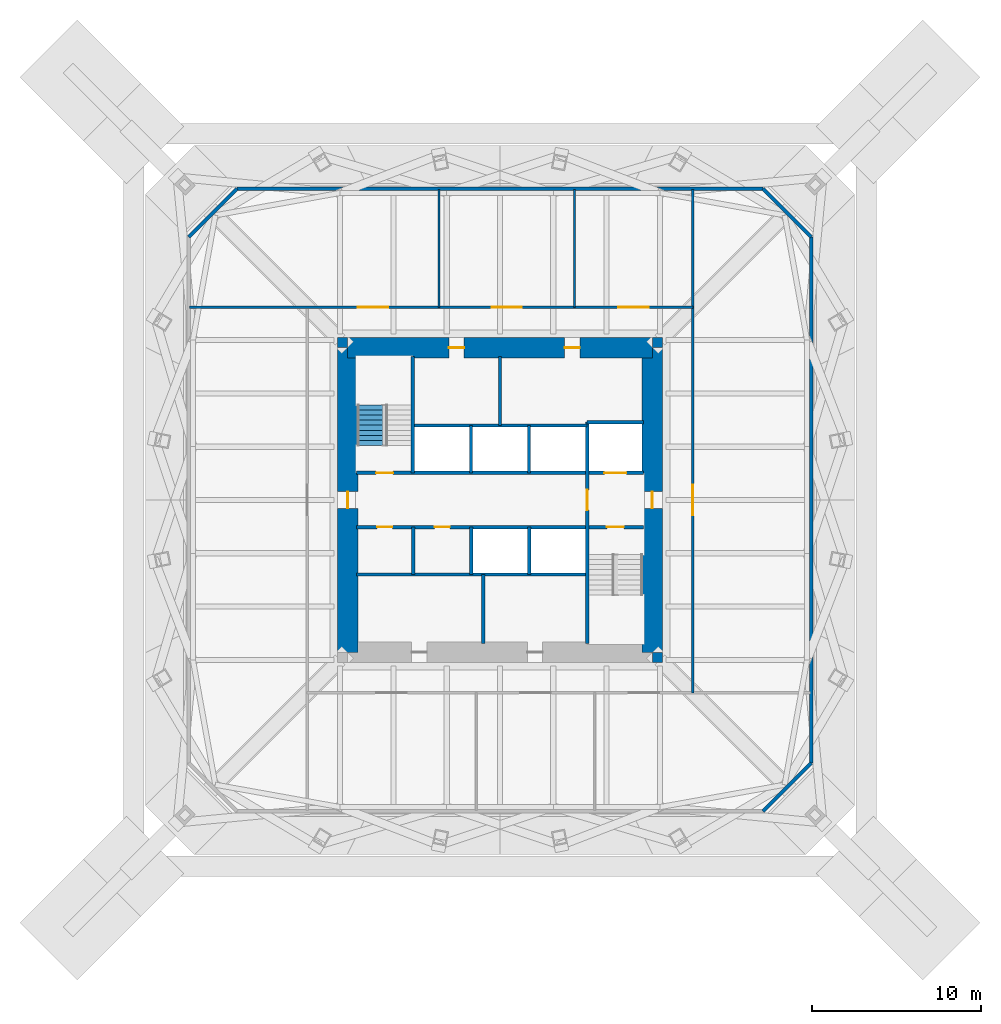
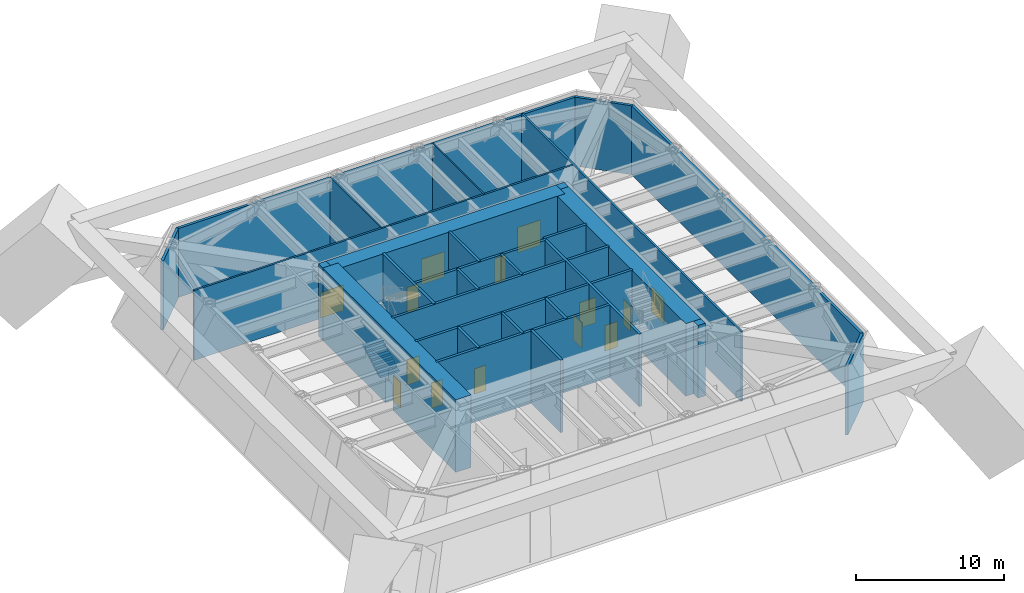
# One storey, part 4 of 6: 29 walls, 14 doors, 1 stair flight, 14 openings, 1 element without a shape of its own.
"""IFC4 building model written with IfcOpenShell, lengths in metres."""

from ifc_helpers import new_model, si_unit, direction, frame, frame_2d, origin, place, context, subcontext, project, spatial, polyline, rectangle, outline, extrude, material, layer, layer_set, constituent, constituent_set, type_object, element, fill, aggregate, save


model = new_model("IFC4")

# Units and contexts
model_context = context("Model", 3, precision=1e-05, world=origin(), true_north=direction((0.0, 1.0)))
body_context = subcontext(model_context, "Body", "Model", "MODEL_VIEW")
ifc_project = project(units=[si_unit("LENGTHUNIT", "METRE"), si_unit("AREAUNIT", "SQUARE_METRE"), si_unit("VOLUMEUNIT", "CUBIC_METRE"), si_unit("PLANEANGLEUNIT", "RADIAN"), si_unit("MASSUNIT", "GRAM", prefix="KILO")], contexts=[model_context])

# Site, building, storey
site_placement = place(None, origin())
site = spatial("IfcSite", under=ifc_project, at=site_placement, CompositionType="ELEMENT")
building_placement = place(site_placement, origin())
building = spatial("IfcBuilding", under=site, at=building_placement, Name="Iwan Alto Co-Living Towers", CompositionType="ELEMENT")
storey_placement = place(building_placement, frame((0.0, 0.0, 143.5)))
storey = spatial("IfcBuildingStorey", under=building, at=storey_placement, Name="L39", CompositionType="ELEMENT", Elevation=143.5)

# Wall, openings, doors
ifc_material_1 = material(Name="Gypsum board")
ifc_layer_1 = layer(ifc_material_1, 0.02490234375, Name="Board", Category="Finish")
ifc_material_2 = material(Name="Steel ASTM A1003 ST33H cold-formed studs", Category="steel")
ifc_layer_2 = layer(ifc_material_2, 0.10009765625, Name="Studs", Category="Framing")
ifc_layer_3 = layer(ifc_material_1, 0.02490234375, Name="Board", Category="Finish")
ifc_layer_set_1 = layer_set([ifc_layer_1, ifc_layer_2, ifc_layer_3], Name="CORRIDOR WALL 150")
wall_type_1 = type_object("IfcWallType", Name="CORRIDOR WALL 150", PredefinedType="PARTITIONING", material=ifc_layer_set_1)
wall_1_placement = place(storey_placement, frame((-18.340087890625, 11.39990234375, 0.0), z_axis=(0.0, 0.0, 1.0), x_axis=(1.0, 0.0, 0.0)))
wall_1 = element("IfcWall", 1, at=wall_1_placement, inside=storey, type_object=wall_type_1, Name="Partition L39", PredefinedType="PARTITIONING", context=body_context, shape_type="SweptSolid", body=[
    extrude(rectangle(XDim=29.739990234375, YDim=0.14990234375, at=frame_2d((14.8701171875, 0.0))), origin(), (0.0, 0.0, 1.0), 5.77001953125),
])
opening_1_placement = place(wall_1_placement, frame((25.340087890625, 0.0, 0.0)))
opening_1 = element("IfcOpeningElement", 2, at=opening_1_placement, cuts=wall_1, Name="Opening D9", PredefinedType="OPENING", context=body_context, shape_type="SweptSolid", body=[
    extrude(rectangle(XDim=1.800048828125, YDim=2.10009765625, at=frame_2d((0.89990234375, 1.050048828125))), frame((0.0, 0.0849609375, 0.0), z_axis=(0.0, -1.0, 0.0), x_axis=(1.0, 0.0, 0.0)), (0.0, 0.0, 1.0), 0.169921875),
])
opening_2_placement = place(wall_1_placement, frame((17.840087890625, 0.0, 0.0)))
opening_2 = element("IfcOpeningElement", 3, at=opening_2_placement, cuts=wall_1, Name="Opening D9", PredefinedType="OPENING", context=body_context, shape_type="SweptSolid", body=[
    extrude(rectangle(XDim=1.800048828125, YDim=2.10009765625, at=frame_2d((0.89990234375, 1.050048828125))), frame((0.0, 0.0849609375, 0.0), z_axis=(0.0, -1.0, 0.0), x_axis=(1.0, 0.0, 0.0)), (0.0, 0.0, 1.0), 0.169921875),
])
opening_3_placement = place(wall_1_placement, frame((9.93994140625, 0.0, 0.0)))
opening_3 = element("IfcOpeningElement", 4, at=opening_3_placement, cuts=wall_1, Name="Opening D9", PredefinedType="OPENING", context=body_context, shape_type="SweptSolid", body=[
    extrude(rectangle(XDim=1.800048828125, YDim=2.10009765625, at=frame_2d((0.89990234375, 1.050048828125))), frame((0.0, 0.0849609375, 0.0), z_axis=(0.0, -1.0, 0.0), x_axis=(1.0, 0.0, 0.0)), (0.0, 0.0, 1.0), 0.169921875),
])
ifc_material_3 = material(Name="Steel frame with timber leaf", Category="steel")
door_type_1 = type_object("IfcDoorType", Name="LOUNGE DOOR FD30S 1800X2100", OperationType="DOUBLE_DOOR_SINGLE_SWING", PredefinedType="DOOR", material=ifc_material_3)
door_1_placement = place(opening_1_placement, origin())
door_1 = element("IfcDoor", 5, at=door_1_placement, inside=storey, type_object=door_type_1, Name="Transformer room door L39", OperationType="DOUBLE_DOOR_SINGLE_SWING", OverallHeight=2.10009765625, OverallWidth=1.800048828125, PredefinedType="DOOR", context=body_context, shape_type="SweptSolid", body=[
    extrude(rectangle(XDim=1.800048828125, YDim=2.10009765625, at=frame_2d((0.89990234375, 1.050048828125))), frame((0.0, 0.02490234375, 0.0), z_axis=(0.0, -1.0, 0.0), x_axis=(1.0, 0.0, 0.0)), (0.0, 0.0, 1.0), 0.050048828125),
])
fill(opening_1, door_1)
door_2_placement = place(opening_2_placement, origin())
door_2 = element("IfcDoor", 6, at=door_2_placement, inside=storey, type_object=door_type_1, Name="LV switch room door L39", OperationType="DOUBLE_DOOR_SINGLE_SWING", OverallHeight=2.10009765625, OverallWidth=1.800048828125, PredefinedType="DOOR", context=body_context, shape_type="SweptSolid", body=[
    extrude(rectangle(XDim=1.800048828125, YDim=2.10009765625, at=frame_2d((0.89990234375, 1.050048828125))), frame((0.0, 0.02490234375, 0.0), z_axis=(0.0, -1.0, 0.0), x_axis=(1.0, 0.0, 0.0)), (0.0, 0.0, 1.0), 0.050048828125),
])
fill(opening_2, door_2)
door_3_placement = place(opening_3_placement, origin())
door_3 = element("IfcDoor", 7, at=door_3_placement, inside=storey, type_object=door_type_1, Name="Plant room (air handling) door L39", OperationType="DOUBLE_DOOR_SINGLE_SWING", OverallHeight=2.10009765625, OverallWidth=1.800048828125, PredefinedType="DOOR", context=body_context, shape_type="SweptSolid", body=[
    extrude(rectangle(XDim=1.800048828125, YDim=2.10009765625, at=frame_2d((0.89990234375, 1.050048828125))), frame((0.0, 0.02490234375, 0.0), z_axis=(0.0, -1.0, 0.0), x_axis=(1.0, 0.0, 0.0)), (0.0, 0.0, 1.0), 0.050048828125),
])
fill(opening_3, door_3)

# Wall, opening, door
wall_2_placement = place(storey_placement, frame((11.39990234375, -11.39990234375, 0.0), z_axis=(0.0, 0.0, 1.0), x_axis=(0.0, 1.0, 0.0)))
wall_2 = element("IfcWall", 8, at=wall_2_placement, inside=storey, type_object=wall_type_1, Name="Partition L39", PredefinedType="PARTITIONING", context=body_context, shape_type="SweptSolid", body=[
    extrude(rectangle(XDim=29.739990234375, YDim=0.14990234375, at=frame_2d((14.8701171875, 0.0))), origin(), (0.0, 0.0, 1.0), 5.77001953125),
])
opening_4_placement = place(wall_2_placement, frame((10.5, 0.0, 0.0)))
opening_4 = element("IfcOpeningElement", 9, at=opening_4_placement, cuts=wall_2, Name="Opening D9", PredefinedType="OPENING", context=body_context, shape_type="SweptSolid", body=[
    extrude(rectangle(XDim=1.800048828125, YDim=2.10009765625, at=frame_2d((0.89990234375, 1.050048828125))), frame((0.0, 0.0849609375, 0.0), z_axis=(0.0, -1.0, 0.0), x_axis=(1.0, 0.0, 0.0)), (0.0, 0.0, 1.0), 0.169921875),
])
door_4_placement = place(opening_4_placement, origin())
door_4 = element("IfcDoor", 10, at=door_4_placement, inside=storey, type_object=door_type_1, Name="Refuge area door L39", OperationType="DOUBLE_DOOR_SINGLE_SWING", OverallHeight=2.10009765625, OverallWidth=1.800048828125, PredefinedType="DOOR", context=body_context, shape_type="SweptSolid", body=[
    extrude(rectangle(XDim=1.800048828125, YDim=2.10009765625, at=frame_2d((0.89990234375, 1.050048828125))), frame((0.0, 0.02490234375, 0.0), z_axis=(0.0, -1.0, 0.0), x_axis=(1.0, 0.0, 0.0)), (0.0, 0.0, 1.0), 0.050048828125),
])
fill(opening_4, door_4)

# Walls
ifc_layer_4 = layer(ifc_material_1, 0.012451171875, Name="Board", Category="Finish")
ifc_layer_5 = layer(ifc_material_2, 0.074951171875, Name="Studs", Category="Framing")
ifc_layer_6 = layer(ifc_material_1, 0.012451171875, Name="Board", Category="Finish")
ifc_layer_set_2 = layer_set([ifc_layer_4, ifc_layer_5, ifc_layer_6], Name="PARTITION 100")
wall_type_2 = type_object("IfcWallType", Name="PARTITION 100", PredefinedType="PARTITIONING", material=ifc_layer_set_2)
for number, where, z_axis, x_axis, name in (
    (11, (4.39990234375, 11.39990234375, 0.0), (0.0, 0.0, 1.0), (0.0, 1.0, 0.0), "Partition L39"),
    (12, (-3.60009765625, 11.39990234375, 0.0), (0.0, 0.0, 1.0), (0.0, 1.0, 0.0), "Partition L39"),
):
    element("IfcWall", number, at=place(storey_placement, frame(where, z_axis=z_axis, x_axis=x_axis)), inside=storey, type_object=wall_type_2, Name=name, PredefinedType="PARTITIONING", context=body_context, shape_type="SweptSolid", body=[
        extrude(rectangle(XDim=6.940185546875, YDim=0.10009765625, at=frame_2d((3.47021484375, 0.0))), origin(), (0.0, 0.0, 1.0), 5.77001953125),
    ])
ifc_material_4 = material(Name="Aluminium 6063-T6 bronze anodised", Category="aluminium")
ifc_layer_7 = layer(ifc_material_4, 0.050048828125, Name="Louvred screen", Category="Finish")
ifc_layer_8 = layer(ifc_material_2, 0.14990234375, Name="Studs", Category="Framing")
ifc_layer_set_3 = layer_set([ifc_layer_7, ifc_layer_8], Name="PLANT PLENUM WALL 200")
wall_type_3 = type_object("IfcWallType", Name="PLANT PLENUM WALL 200", PredefinedType="PARTITIONING", material=ifc_layer_set_3)
wall_3_placement = place(storey_placement, frame((15.544921875, -18.39990234375, 0.0), z_axis=(0.0, 0.0, 1.0), x_axis=(0.707106781187, 0.707106781187, 0.0)))
element("IfcWall", 13, at=wall_3_placement, inside=storey, type_object=wall_type_3, Name="T1 plant plenum wall L39 2", PredefinedType="PARTITIONING", context=body_context, shape_type="SweptSolid", body=[
    extrude(rectangle(XDim=4.03759765625, YDim=0.199951171875, at=frame_2d((2.018798828125, 0.0))), origin(), (0.0, 0.0, 1.0), 5.699951171875),
])
wall_4_placement = place(storey_placement, frame((18.39990234375, -15.544921875, 0.0), z_axis=(0.0, 0.0, 1.0), x_axis=(0.0, 1.0, 0.0)))
element("IfcWall", 14, at=wall_4_placement, inside=storey, type_object=wall_type_3, Name="T1 plant plenum wall L39 3", PredefinedType="PARTITIONING", context=body_context, shape_type="SweptSolid", body=[
    extrude(rectangle(XDim=31.08984375, YDim=0.199951171875, at=frame_2d((15.544921875, 0.0))), origin(), (0.0, 0.0, 1.0), 5.699951171875),
])
wall_5_placement = place(storey_placement, frame((18.39990234375, 15.544921875, 0.0), z_axis=(0.0, 0.0, 1.0), x_axis=(-0.707106781187, 0.707106781187, 0.0)))
element("IfcWall", 15, at=wall_5_placement, inside=storey, type_object=wall_type_3, Name="T1 plant plenum wall L39 4", PredefinedType="PARTITIONING", context=body_context, shape_type="SweptSolid", body=[
    extrude(rectangle(XDim=4.03759765625, YDim=0.199951171875, at=frame_2d((2.018798828125, 0.0))), origin(), (0.0, 0.0, 1.0), 5.699951171875),
])
wall_6_placement = place(storey_placement, frame((15.544921875, 18.39990234375, 0.0), z_axis=(0.0, 0.0, 1.0), x_axis=(-1.0, 0.0, 0.0)))
element("IfcWall", 16, at=wall_6_placement, inside=storey, type_object=wall_type_3, Name="T1 plant plenum wall L39 5", PredefinedType="PARTITIONING", context=body_context, shape_type="SweptSolid", body=[
    extrude(rectangle(XDim=31.08984375, YDim=0.199951171875, at=frame_2d((15.544921875, 0.0))), origin(), (0.0, 0.0, 1.0), 5.699951171875),
])
wall_7_placement = place(storey_placement, frame((-15.544921875, 18.39990234375, 0.0), z_axis=(0.0, 0.0, 1.0), x_axis=(-0.707106781187, -0.707106781187, 0.0)))
element("IfcWall", 17, at=wall_7_placement, inside=storey, type_object=wall_type_3, Name="T1 plant plenum wall L39 6", PredefinedType="PARTITIONING", context=body_context, shape_type="SweptSolid", body=[
    extrude(rectangle(XDim=4.03759765625, YDim=0.199951171875, at=frame_2d((2.018798828125, 0.0))), origin(), (0.0, 0.0, 1.0), 5.699951171875),
])
ifc_material_5 = material(Name="Concrete f'c 70 MPa", Category="concrete")
ifc_layer_9 = layer(ifc_material_5, 0.199951171875)
ifc_layer_set_4 = layer_set([ifc_layer_9], Name="SHAFT WALL 200")
wall_type_4 = type_object("IfcWallType", Name="SHAFT WALL 200", PredefinedType="SOLIDWALL", material=ifc_layer_set_4)
wall_8_placement = place(storey_placement, frame((-8.489990234375, -4.39990234375, 0.0), z_axis=(0.0, 0.0, 1.0), x_axis=(1.0, 0.0, 0.0)))
element("IfcWall", 18, at=wall_8_placement, inside=storey, type_object=wall_type_4, Name="Shaft wall L39", PredefinedType="SOLIDWALL", context=body_context, shape_type="SweptSolid", body=[
    extrude(rectangle(XDim=13.639892578125, YDim=0.199951171875, at=frame_2d((6.81982421875, 0.0))), origin(), (0.0, 0.0, 1.0), 6.0),
])

# Wall, openings, doors
wall_9_placement = place(storey_placement, frame((-8.489990234375, -1.60009765625, 0.0), z_axis=(0.0, 0.0, 1.0), x_axis=(1.0, 0.0, 0.0)))
wall_9 = element("IfcWall", 19, at=wall_9_placement, inside=storey, type_object=wall_type_4, Name="Shaft wall L39", PredefinedType="SOLIDWALL", context=body_context, shape_type="SweptSolid", body=[
    extrude(rectangle(XDim=16.97998046875, YDim=0.199951171875, at=frame_2d((8.489990234375, 0.0))), origin(), (0.0, 0.0, 1.0), 6.0),
])
opening_5_placement = place(wall_9_placement, frame((14.81005859375, 0.0, 0.0)))
opening_5 = element("IfcOpeningElement", 20, at=opening_5_placement, cuts=wall_9, Name="Opening D5", PredefinedType="OPENING", context=body_context, shape_type="SweptSolid", body=[
    extrude(rectangle(XDim=1.0, YDim=2.10009765625, at=frame_2d((0.5, 1.050048828125))), frame((0.0, 0.10986328125, 0.0), z_axis=(0.0, -1.0, 0.0), x_axis=(1.0, 0.0, 0.0)), (0.0, 0.0, 1.0), 0.219970703125),
])
opening_6_placement = place(wall_9_placement, frame((1.23193359375, 0.0, 0.0)))
opening_6 = element("IfcOpeningElement", 21, at=opening_6_placement, cuts=wall_9, Name="Opening D15", PredefinedType="OPENING", context=body_context, shape_type="SweptSolid", body=[
    extrude(rectangle(XDim=0.89990234375, YDim=2.10009765625, at=frame_2d((0.449951171875, 1.050048828125))), frame((0.0, 0.10986328125, 0.0), z_axis=(0.0, -1.0, 0.0), x_axis=(1.0, 0.0, 0.0)), (0.0, 0.0, 1.0), 0.219970703125),
])
opening_7_placement = place(wall_9_placement, frame((4.626953125, 0.0, 0.0)))
opening_7 = element("IfcOpeningElement", 22, at=opening_7_placement, cuts=wall_9, Name="Opening D15", PredefinedType="OPENING", context=body_context, shape_type="SweptSolid", body=[
    extrude(rectangle(XDim=0.89990234375, YDim=2.10009765625, at=frame_2d((0.449951171875, 1.050048828125))), frame((0.0, 0.10986328125, 0.0), z_axis=(0.0, -1.0, 0.0), x_axis=(1.0, 0.0, 0.0)), (0.0, 0.0, 1.0), 0.219970703125),
])
ifc_material_6 = material(Name="Steel frame with timber leaf", Category="steel")
door_type_2 = type_object("IfcDoorType", Name="CORE ROOM DOOR FD60S 900X2100", OperationType="SINGLE_SWING_LEFT", PredefinedType="DOOR", material=ifc_material_6)
door_5_placement = place(opening_6_placement, frame((0.89990234375, 0.0, 0.0), z_axis=(0.0, 0.0, 1.0), x_axis=(-1.0, 0.0, 0.0)))
door_5 = element("IfcDoor", 23, at=door_5_placement, inside=storey, type_object=door_type_2, Name="Electrical switch room door L39", OperationType="SINGLE_SWING_LEFT", OverallHeight=2.10009765625, OverallWidth=0.89990234375, PredefinedType="DOOR", context=body_context, shape_type="SweptSolid", body=[
    extrude(rectangle(XDim=0.89990234375, YDim=2.10009765625, at=frame_2d((0.449951171875, 1.050048828125))), frame((0.0, 0.02490234375, 0.0), z_axis=(0.0, -1.0, 0.0), x_axis=(1.0, 0.0, 0.0)), (0.0, 0.0, 1.0), 0.050048828125),
])
fill(opening_6, door_5)
door_6_placement = place(opening_7_placement, frame((0.89990234375, 0.0, 0.0), z_axis=(0.0, 0.0, 1.0), x_axis=(-1.0, 0.0, 0.0)))
door_6 = element("IfcDoor", 24, at=door_6_placement, inside=storey, type_object=door_type_2, Name="Booster pump plant room door L39", OperationType="SINGLE_SWING_RIGHT", OverallHeight=2.10009765625, OverallWidth=0.89990234375, PredefinedType="DOOR", context=body_context, shape_type="SweptSolid", body=[
    extrude(rectangle(XDim=0.89990234375, YDim=2.10009765625, at=frame_2d((0.449951171875, 1.050048828125))), frame((0.0, 0.02490234375, 0.0), z_axis=(0.0, -1.0, 0.0), x_axis=(1.0, 0.0, 0.0)), (0.0, 0.0, 1.0), 0.050048828125),
])
fill(opening_7, door_6)
ifc_material_7 = material(Name="Steel frame with timber leaf", Category="steel")
door_type_3 = type_object("IfcDoorType", Name="STAIR DOOR FD120S 1000X2100", OperationType="SINGLE_SWING_LEFT", PredefinedType="DOOR", material=ifc_material_7)
door_7_placement = place(opening_5_placement, frame((1.0, 0.0, 0.0), z_axis=(0.0, 0.0, 1.0), x_axis=(-1.0, 0.0, 0.0)))
door_7 = element("IfcDoor", 25, at=door_7_placement, inside=storey, type_object=door_type_3, Name="Stair S2 door L39", OperationType="SINGLE_SWING_RIGHT", OverallHeight=2.10009765625, OverallWidth=1.0, PredefinedType="DOOR", context=body_context, shape_type="SweptSolid", body=[
    extrude(rectangle(XDim=1.0, YDim=2.10009765625, at=frame_2d((0.5, 1.050048828125))), frame((0.0, 0.02490234375, 0.0), z_axis=(0.0, -1.0, 0.0), x_axis=(1.0, 0.0, 0.0)), (0.0, 0.0, 1.0), 0.050048828125),
])
fill(opening_5, door_7)

wall_10_placement = place(storey_placement, frame((-8.489990234375, 1.60009765625, 0.0), z_axis=(0.0, 0.0, 1.0), x_axis=(1.0, 0.0, 0.0)))
wall_10 = element("IfcWall", 26, at=wall_10_placement, inside=storey, type_object=wall_type_4, Name="Shaft wall L39", PredefinedType="SOLIDWALL", context=body_context, shape_type="SweptSolid", body=[
    extrude(rectangle(XDim=16.97998046875, YDim=0.199951171875, at=frame_2d((8.489990234375, 0.0))), origin(), (0.0, 0.0, 1.0), 6.0),
])
opening_8_placement = place(wall_10_placement, frame((1.169921875, 0.0, 0.0)))
opening_8 = element("IfcOpeningElement", 27, at=opening_8_placement, cuts=wall_10, Name="Opening D5", PredefinedType="OPENING", context=body_context, shape_type="SweptSolid", body=[
    extrude(rectangle(XDim=1.0, YDim=2.10009765625, at=frame_2d((0.5, 1.050048828125))), frame((0.0, 0.10986328125, 0.0), z_axis=(0.0, -1.0, 0.0), x_axis=(1.0, 0.0, 0.0)), (0.0, 0.0, 1.0), 0.219970703125),
])
opening_9_placement = place(wall_10_placement, frame((14.659912109375, 0.0, 0.0)))
opening_9 = element("IfcOpeningElement", 28, at=opening_9_placement, cuts=wall_10, Name="Opening LD2", PredefinedType="OPENING", context=body_context, shape_type="SweptSolid", body=[
    extrude(rectangle(XDim=1.300048828125, YDim=2.10009765625, at=frame_2d((0.64990234375, 1.050048828125))), frame((0.0, 0.10986328125, 0.0), z_axis=(0.0, -1.0, 0.0), x_axis=(1.0, 0.0, 0.0)), (0.0, 0.0, 1.0), 0.219970703125),
])
ifc_material_8 = material(Name="Steel frame with timber leaf", Category="steel")
door_type_4 = type_object("IfcDoorType", Name="LIFT LANDING DOOR 1300X2100", OperationType="SLIDING_TO_LEFT", PredefinedType="DOOR", material=ifc_material_8)
door_8_placement = place(opening_9_placement, origin())
door_8 = element("IfcDoor", 29, at=door_8_placement, inside=storey, type_object=door_type_4, Name="Lift FL1 landing door L39", OperationType="SLIDING_TO_LEFT", OverallHeight=2.10009765625, OverallWidth=1.300048828125, PredefinedType="DOOR", context=body_context, shape_type="SweptSolid", body=[
    extrude(rectangle(XDim=1.300048828125, YDim=2.10009765625, at=frame_2d((0.64990234375, 1.050048828125))), frame((0.0, 0.02490234375, 0.0), z_axis=(0.0, -1.0, 0.0), x_axis=(1.0, 0.0, 0.0)), (0.0, 0.0, 1.0), 0.050048828125),
])
fill(opening_9, door_8)
door_9_placement = place(opening_8_placement, origin())
door_9 = element("IfcDoor", 30, at=door_9_placement, inside=storey, type_object=door_type_3, Name="Stair S1 door L39", OperationType="SINGLE_SWING_RIGHT", OverallHeight=2.10009765625, OverallWidth=1.0, PredefinedType="DOOR", context=body_context, shape_type="SweptSolid", body=[
    extrude(rectangle(XDim=1.0, YDim=2.10009765625, at=frame_2d((0.5, 1.050048828125))), frame((0.0, 0.02490234375, 0.0), z_axis=(0.0, -1.0, 0.0), x_axis=(1.0, 0.0, 0.0)), (0.0, 0.0, 1.0), 0.050048828125),
])
fill(opening_8, door_9)

# Walls
wall_11_placement = place(storey_placement, frame((-5.14990234375, 4.39990234375, 0.0), z_axis=(0.0, 0.0, 1.0), x_axis=(1.0, 0.0, 0.0)))
element("IfcWall", 31, at=wall_11_placement, inside=storey, type_object=wall_type_4, Name="Shaft wall L39", PredefinedType="SOLIDWALL", context=body_context, shape_type="SweptSolid", body=[
    extrude(rectangle(XDim=10.2998046875, YDim=0.199951171875, at=frame_2d((5.14990234375, 0.0))), origin(), (0.0, 0.0, 1.0), 6.0),
])
wall_12_placement = place(storey_placement, frame((5.14990234375, 4.60009765625, 0.0), z_axis=(0.0, 0.0, 1.0), x_axis=(1.0, 0.0, 0.0)))
element("IfcWall", 32, at=wall_12_placement, inside=storey, type_object=wall_type_4, Name="Shaft wall L39", PredefinedType="SOLIDWALL", context=body_context, shape_type="SweptSolid", body=[
    extrude(rectangle(XDim=3.340087890625, YDim=0.199951171875, at=frame_2d((1.669921875, 0.0))), origin(), (0.0, 0.0, 1.0), 6.0),
])

# Wall, opening, door
wall_13_placement = place(storey_placement, frame((5.14990234375, -8.489990234375, 0.0), z_axis=(0.0, 0.0, 1.0), x_axis=(0.0, 1.0, 0.0)))
wall_13 = element("IfcWall", 33, at=wall_13_placement, inside=storey, type_object=wall_type_4, Name="Shaft wall L39", PredefinedType="SOLIDWALL", context=body_context, shape_type="SweptSolid", body=[
    extrude(rectangle(XDim=13.090087890625, YDim=0.199951171875, at=frame_2d((6.544921875, 0.0))), origin(), (0.0, 0.0, 1.0), 6.0),
])
opening_10_placement = place(wall_13_placement, frame((7.889892578125, 0.0, 0.0)))
opening_10 = element("IfcOpeningElement", 34, at=opening_10_placement, cuts=wall_13, Name="Opening D6", PredefinedType="OPENING", context=body_context, shape_type="SweptSolid", body=[
    extrude(rectangle(XDim=1.199951171875, YDim=2.10009765625, at=frame_2d((0.60009765625, 1.050048828125))), frame((0.0, 0.10986328125, 0.0), z_axis=(0.0, -1.0, 0.0), x_axis=(1.0, 0.0, 0.0)), (0.0, 0.0, 1.0), 0.219970703125),
])
ifc_material_9 = material(Name="Steel frame with timber leaf", Category="steel")
door_type_5 = type_object("IfcDoorType", Name="LOBBY DOOR FD120S 1200X2100", OperationType="SINGLE_SWING_LEFT", PredefinedType="DOOR", material=ifc_material_9)
door_10_placement = place(opening_10_placement, frame((1.199951171875, 0.0, 0.0), z_axis=(0.0, 0.0, 1.0), x_axis=(-1.0, 0.0, 0.0)))
door_10 = element("IfcDoor", 35, at=door_10_placement, inside=storey, type_object=door_type_5, Name="Firefighting lobby door L39", OperationType="SINGLE_SWING_RIGHT", OverallHeight=2.10009765625, OverallWidth=1.199951171875, PredefinedType="DOOR", context=body_context, shape_type="SweptSolid", body=[
    extrude(rectangle(XDim=1.199951171875, YDim=2.10009765625, at=frame_2d((0.60009765625, 1.050048828125))), frame((0.0, 0.02490234375, 0.0), z_axis=(0.0, -1.0, 0.0), x_axis=(1.0, 0.0, 0.0)), (0.0, 0.0, 1.0), 0.050048828125),
])
fill(opening_10, door_10)

# Walls
for number, where, z_axis, x_axis, name in (
    (36, (1.72509765625, -4.39990234375, 0.0), (0.0, 0.0, 1.0), (0.0, 1.0, 0.0), "Shaft wall L39"),
    (37, (1.717041015625, 1.60009765625, 0.0), (0.0, 0.0, 1.0), (0.0, 1.0, 0.0), "Shaft wall L39"),
):
    element("IfcWall", number, at=place(storey_placement, frame(where, z_axis=z_axis, x_axis=x_axis)), inside=storey, type_object=wall_type_4, Name=name, PredefinedType="SOLIDWALL", context=body_context, shape_type="SweptSolid", body=[
        extrude(rectangle(XDim=2.7998046875, YDim=0.199951171875, at=frame_2d((1.39990234375, 0.0))), origin(), (0.0, 0.0, 1.0), 6.0),
    ])
for number, where, z_axis, x_axis, name in (
    (38, (0.0, 4.39990234375, 0.0), (0.0, 0.0, 1.0), (0.0, 1.0, 0.0), "Shaft wall L39"),
    (39, (-1.0, -8.489990234375, 0.0), (0.0, 0.0, 1.0), (0.0, 1.0, 0.0), "Shaft wall L39"),
):
    element("IfcWall", number, at=place(storey_placement, frame(where, z_axis=z_axis, x_axis=x_axis)), inside=storey, type_object=wall_type_4, Name=name, PredefinedType="SOLIDWALL", context=body_context, shape_type="SweptSolid", body=[
        extrude(rectangle(XDim=4.090087890625, YDim=0.199951171875, at=frame_2d((2.044921875, 0.0))), origin(), (0.0, 0.0, 1.0), 6.0),
    ])
for number, where, z_axis, x_axis, name in (
    (40, (-1.699951171875, -4.39990234375, 0.0), (0.0, 0.0, 1.0), (0.0, 1.0, 0.0), "Shaft wall L39"),
    (41, (-1.717041015625, 1.60009765625, 0.0), (0.0, 0.0, 1.0), (0.0, 1.0, 0.0), "Shaft wall L39"),
    (42, (-5.125, -4.39990234375, 0.0), (0.0, 0.0, 1.0), (0.0, 1.0, 0.0), "Shaft wall L39"),
):
    element("IfcWall", number, at=place(storey_placement, frame(where, z_axis=z_axis, x_axis=x_axis)), inside=storey, type_object=wall_type_4, Name=name, PredefinedType="SOLIDWALL", context=body_context, shape_type="SweptSolid", body=[
        extrude(rectangle(XDim=2.7998046875, YDim=0.199951171875, at=frame_2d((1.39990234375, 0.0))), origin(), (0.0, 0.0, 1.0), 6.0),
    ])
wall_14_placement = place(storey_placement, frame((-5.14990234375, 1.60009765625, 0.0), z_axis=(0.0, 0.0, 1.0), x_axis=(0.0, 1.0, 0.0)))
element("IfcWall", 43, at=wall_14_placement, inside=storey, type_object=wall_type_4, Name="Shaft wall L39", PredefinedType="SOLIDWALL", context=body_context, shape_type="SweptSolid", body=[
    extrude(rectangle(XDim=6.889892578125, YDim=0.199951171875, at=frame_2d((3.44482421875, 0.0))), origin(), (0.0, 0.0, 1.0), 6.0),
])
ifc_material_10 = material(Name="Concrete f'c 70 MPa", Category="concrete")
ifc_layer_10 = layer(ifc_material_10, 0.60009765625)
ifc_layer_set_5 = layer_set([ifc_layer_10], Name="T1 CORE CORNER FILL 600")
wall_type_5 = type_object("IfcWallType", Name="T1 CORE CORNER FILL 600", PredefinedType="SOLIDWALL", material=ifc_layer_set_5)
for number, where, z_axis, x_axis, name in (
    (44, (9.0, -9.300048828125, 0.0), (0.0, 0.0, 1.0), (1.0, 0.0, 0.0), "T1 core corner SE L39"),
    (45, (9.0, 9.300048828125, 0.0), (0.0, 0.0, 1.0), (1.0, 0.0, 0.0), "T1 core corner NE L39"),
    (46, (-9.60009765625, 9.300048828125, 0.0), (0.0, 0.0, 1.0), (1.0, 0.0, 0.0), "T1 core corner NW L39"),
):
    element("IfcWall", number, at=place(storey_placement, frame(where, z_axis=z_axis, x_axis=x_axis)), inside=storey, type_object=wall_type_5, Name=name, PredefinedType="SOLIDWALL", context=body_context, shape_type="SweptSolid", body=[
        extrude(rectangle(XDim=0.60009765625, YDim=0.60009765625, at=frame_2d((0.300048828125, 0.0))), origin(), (0.0, 0.0, 1.0), 6.0),
    ])

# Wall, openings, doors
ifc_material_11 = material(Name="Concrete f'c 70 MPa", Category="concrete")
ifc_layer_11 = layer(ifc_material_11, 1.199951171875)
ifc_layer_set_6 = layer_set([ifc_layer_11], Name="T1 CORE WALL 1200")
wall_type_6 = type_object("IfcWallType", Name="T1 CORE WALL 1200", PredefinedType="SHEAR", material=ifc_layer_set_6)
wall_15_placement = place(storey_placement, frame((9.0, 9.0, 0.0), z_axis=(0.0, 0.0, 1.0), x_axis=(-1.0, 0.0, 0.0)))
wall_15 = element("IfcWall", 47, at=wall_15_placement, inside=storey, type_object=wall_type_6, Name="T1 core wall N L39", PredefinedType="SHEAR", context=body_context, shape_type="SweptSolid", body=[
    extrude(rectangle(XDim=18.0, YDim=1.199951171875, at=frame_2d((9.0, 0.0))), origin(), (0.0, 0.0, 1.0), 6.0),
])
opening_11_placement = place(wall_15_placement, frame((11.125, 0.0, 0.0)))
opening_11 = element("IfcOpeningElement", 48, at=opening_11_placement, cuts=wall_15, Name="Opening D8", PredefinedType="OPENING", context=body_context, shape_type="SweptSolid", body=[
    extrude(rectangle(XDim=0.89990234375, YDim=2.10009765625, at=frame_2d((0.449951171875, 1.050048828125))), frame((0.0, 0.60986328125, 0.0), z_axis=(0.0, -1.0, 0.0), x_axis=(1.0, 0.0, 0.0)), (0.0, 0.0, 1.0), 1.219970703125),
])
opening_12_placement = place(wall_15_placement, frame((4.27490234375, 0.0, 0.0)))
opening_12 = element("IfcOpeningElement", 49, at=opening_12_placement, cuts=wall_15, Name="Opening D8", PredefinedType="OPENING", context=body_context, shape_type="SweptSolid", body=[
    extrude(rectangle(XDim=0.89990234375, YDim=2.10009765625, at=frame_2d((0.449951171875, 1.050048828125))), frame((0.0, 0.60986328125, 0.0), z_axis=(0.0, -1.0, 0.0), x_axis=(1.0, 0.0, 0.0)), (0.0, 0.0, 1.0), 1.219970703125),
])
ifc_material_12 = material(Name="Steel frame with timber leaf", Category="steel")
door_type_6 = type_object("IfcDoorType", Name="RISER DOOR FD120 900X2100", OperationType="SINGLE_SWING_LEFT", PredefinedType="DOOR", material=ifc_material_12)
door_11_placement = place(opening_11_placement, origin())
door_11 = element("IfcDoor", 50, at=door_11_placement, inside=storey, type_object=door_type_6, Name="Electrical riser core door L39", OperationType="SINGLE_SWING_RIGHT", OverallHeight=2.10009765625, OverallWidth=0.89990234375, PredefinedType="DOOR", context=body_context, shape_type="SweptSolid", body=[
    extrude(rectangle(XDim=0.89990234375, YDim=2.10009765625, at=frame_2d((0.449951171875, 1.050048828125))), frame((0.0, 0.02490234375, 0.0), z_axis=(0.0, -1.0, 0.0), x_axis=(1.0, 0.0, 0.0)), (0.0, 0.0, 1.0), 0.050048828125),
])
fill(opening_11, door_11)
door_12_placement = place(opening_12_placement, origin())
door_12 = element("IfcDoor", 51, at=door_12_placement, inside=storey, type_object=door_type_6, Name="Water and drainage riser core door L39", OperationType="SINGLE_SWING_RIGHT", OverallHeight=2.10009765625, OverallWidth=0.89990234375, PredefinedType="DOOR", context=body_context, shape_type="SweptSolid", body=[
    extrude(rectangle(XDim=0.89990234375, YDim=2.10009765625, at=frame_2d((0.449951171875, 1.050048828125))), frame((0.0, 0.02490234375, 0.0), z_axis=(0.0, -1.0, 0.0), x_axis=(1.0, 0.0, 0.0)), (0.0, 0.0, 1.0), 0.050048828125),
])
fill(opening_12, door_12)

# Wall, opening, door
wall_16_placement = place(storey_placement, frame((9.0, -9.0, 0.0), z_axis=(0.0, 0.0, 1.0), x_axis=(0.0, 1.0, 0.0)))
wall_16 = element("IfcWall", 52, at=wall_16_placement, inside=storey, type_object=wall_type_6, Name="T1 core wall E L39", PredefinedType="SHEAR", context=body_context, shape_type="SweptSolid", body=[
    extrude(rectangle(XDim=18.0, YDim=1.199951171875, at=frame_2d((9.0, 0.0))), origin(), (0.0, 0.0, 1.0), 6.0),
])
opening_13_placement = place(wall_16_placement, frame((8.5, 0.0, 0.0)))
opening_13 = element("IfcOpeningElement", 53, at=opening_13_placement, cuts=wall_16, Name="Opening D7", PredefinedType="OPENING", context=body_context, shape_type="SweptSolid", body=[
    extrude(rectangle(XDim=1.0, YDim=2.10009765625, at=frame_2d((0.5, 1.050048828125))), frame((0.0, 0.60986328125, 0.0), z_axis=(0.0, -1.0, 0.0), x_axis=(1.0, 0.0, 0.0)), (0.0, 0.0, 1.0), 1.219970703125),
])
ifc_material_13 = material(Name="Steel frame with timber leaf", Category="steel")
door_type_7 = type_object("IfcDoorType", Name="CORE DOOR FD120S 1000X2100", OperationType="SINGLE_SWING_LEFT", PredefinedType="DOOR", material=ifc_material_13)
door_13_placement = place(opening_13_placement, origin())
door_13 = element("IfcDoor", 54, at=door_13_placement, inside=storey, type_object=door_type_7, Name="Firefighting lobby core door L39", OperationType="SINGLE_SWING_LEFT", OverallHeight=2.10009765625, OverallWidth=1.0, PredefinedType="DOOR", context=body_context, shape_type="SweptSolid", body=[
    extrude(rectangle(XDim=1.0, YDim=2.10009765625, at=frame_2d((0.5, 1.050048828125))), frame((0.0, 0.02490234375, 0.0), z_axis=(0.0, -1.0, 0.0), x_axis=(1.0, 0.0, 0.0)), (0.0, 0.0, 1.0), 0.050048828125),
])
fill(opening_13, door_13)

wall_17_placement = place(storey_placement, frame((-9.0, 9.0, 0.0), z_axis=(0.0, 0.0, 1.0), x_axis=(0.0, -1.0, 0.0)))
wall_17 = element("IfcWall", 55, at=wall_17_placement, inside=storey, type_object=wall_type_6, Name="T1 core wall W L39", PredefinedType="SHEAR", context=body_context, shape_type="SweptSolid", body=[
    extrude(rectangle(XDim=18.0, YDim=1.199951171875, at=frame_2d((9.0, 0.0))), origin(), (0.0, 0.0, 1.0), 6.0),
])
opening_14_placement = place(wall_17_placement, frame((8.5, 0.0, 0.0)))
opening_14 = element("IfcOpeningElement", 56, at=opening_14_placement, cuts=wall_17, Name="Opening D7", PredefinedType="OPENING", context=body_context, shape_type="SweptSolid", body=[
    extrude(rectangle(XDim=1.0, YDim=2.10009765625, at=frame_2d((0.5, 1.050048828125))), frame((0.0, 0.60986328125, 0.0), z_axis=(0.0, -1.0, 0.0), x_axis=(1.0, 0.0, 0.0)), (0.0, 0.0, 1.0), 1.219970703125),
])
door_14_placement = place(opening_14_placement, origin())
door_14 = element("IfcDoor", 57, at=door_14_placement, inside=storey, type_object=door_type_7, Name="Lift lobby core door L39", OperationType="SINGLE_SWING_RIGHT", OverallHeight=2.10009765625, OverallWidth=1.0, PredefinedType="DOOR", context=body_context, shape_type="SweptSolid", body=[
    extrude(rectangle(XDim=1.0, YDim=2.10009765625, at=frame_2d((0.5, 1.050048828125))), frame((0.0, 0.02490234375, 0.0), z_axis=(0.0, -1.0, 0.0), x_axis=(1.0, 0.0, 0.0)), (0.0, 0.0, 1.0), 0.050048828125),
])
fill(opening_14, door_14)

# Stair, stair flight
ifc_material_14 = material(Name="Steel ASTM A36", Category="steel")
ifc_constituent_1 = constituent(ifc_material_14, Name="Stringers", Category="LoadBearing")
ifc_material_15 = material(Name="Concrete f'c 30 MPa", Category="concrete")
ifc_constituent_2 = constituent(ifc_material_15, Name="Tread fill", Category="Finish")
ifc_constituent_set_1 = constituent_set(constituents=[ifc_constituent_1, ifc_constituent_2], Name="STAIR 6000 FOUR-FLIGHT T1 CORE")
stair_type = type_object("IfcStairType", Name="STAIR 6000 FOUR-FLIGHT T1 CORE", PredefinedType="HALF_TURN_STAIR", material=ifc_constituent_set_1)
stair_placement = place(storey_placement, origin())
stair = element("IfcStair", 58, at=stair_placement, inside=storey, type_object=stair_type, Name="Stair T1-S1 L39 to L40", PredefinedType="HALF_TURN_STAIR")
ifc_constituent_3 = constituent(ifc_material_14, Name="Stringers", Category="LoadBearing")
ifc_constituent_4 = constituent(ifc_material_15, Name="Tread fill", Category="Finish")
ifc_constituent_set_2 = constituent_set(constituents=[ifc_constituent_3, ifc_constituent_4], Name="STAIR FLIGHT 9 RISERS 300 GOING")
stair_flight_type = type_object("IfcStairFlightType", Name="STAIR FLIGHT 9 RISERS 300 GOING", PredefinedType="STRAIGHT", material=ifc_constituent_set_2)
stair_flight_placement = place(storey_placement, frame((-7.68994140625, 3.219970703125, 0.0), z_axis=(0.0, 0.0, 1.0), x_axis=(0.0, 1.0, 0.0)))
stair_flight = element("IfcStairFlight", 59, at=stair_flight_placement, type_object=stair_flight_type, Name="T1-S1 flight 1", NumberOfRisers=9, NumberOfTreads=8, PredefinedType="STRAIGHT", RiserHeight=0.166667, TreadLength=0.3, context=body_context, shape_type="SweptSolid", body=[
    extrude(outline(polyline([(0.0, 0.0), (0.0, 0.166748046875), (0.300048828125, 0.166748046875), (0.300048828125, 0.333251953125), (0.60009765625, 0.333251953125), (0.60009765625, 0.5), (0.89990234375, 0.5), (0.89990234375, 0.666748046875), (1.199951171875, 0.666748046875), (1.199951171875, 0.833251953125), (1.5, 0.833251953125), (1.5, 1.0), (1.800048828125, 1.0), (1.800048828125, 1.166748046875), (2.10009765625, 1.166748046875), (2.10009765625, 1.333251953125), (2.39990234375, 1.333251953125), (2.39990234375, 1.5), (2.39990234375, 1.161865234375), (0.30859375, 0.0), (0.0, 0.0)])), frame((0.0, 0.739990234375, 0.0), z_axis=(0.0, -1.0, 0.0), x_axis=(1.0, 0.0, 0.0)), (0.0, 0.0, 1.0), 1.47998046875),
])
aggregate(stair, [stair_flight])

save(model, "model.ifc")
